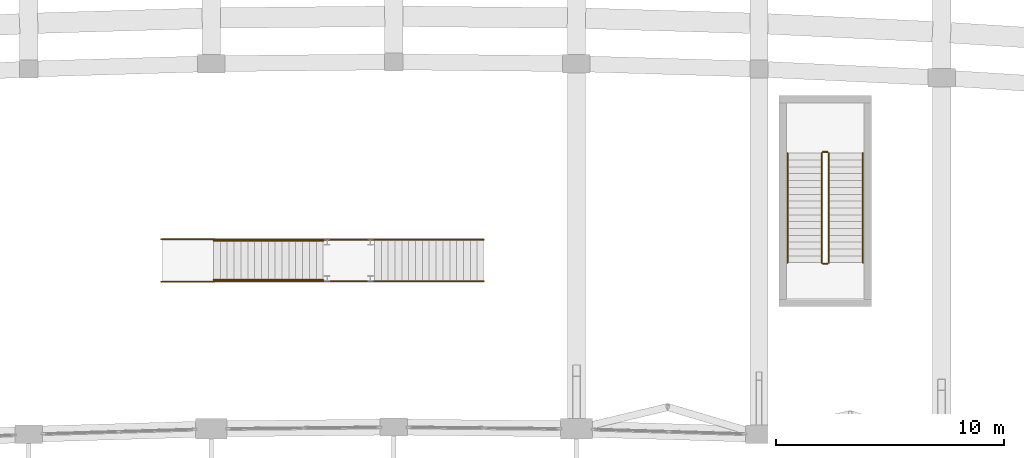
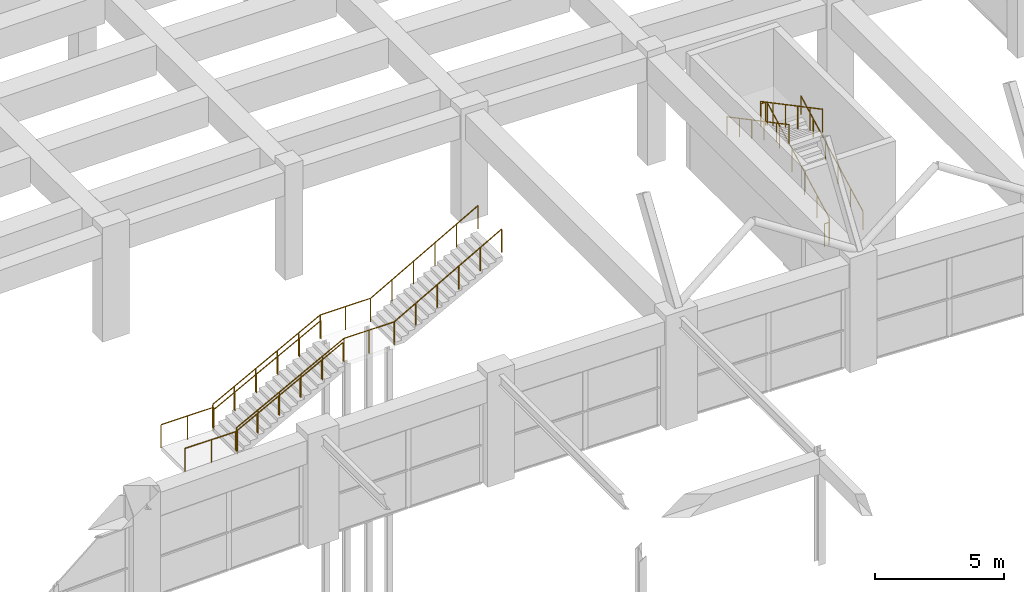
# One storey, part 65 of 69: 12 railings.
"""IFC4 building model written with IfcOpenShell, lengths in metres."""

from ifc_helpers import new_model, si_unit, direction, frame, origin, origin_2d, place, context, subcontext, project, spatial, circle, extrude, material, type_object, element, save


model = new_model("IFC4")

# Units and contexts
model_context = context("Model", 3, precision=1e-05, world=origin(), true_north=direction((0.0, 1.0)))
body_context = subcontext(model_context, "Body", "Model", "MODEL_VIEW")
ifc_project = project(units=[si_unit("LENGTHUNIT", "METRE"), si_unit("AREAUNIT", "SQUARE_METRE"), si_unit("VOLUMEUNIT", "CUBIC_METRE"), si_unit("PLANEANGLEUNIT", "RADIAN"), si_unit("MASSUNIT", "GRAM", prefix="KILO")], contexts=[model_context])

# Site, building, storey
site_placement = place(None, origin())
site = spatial("IfcSite", under=ifc_project, at=site_placement, CompositionType="ELEMENT")
building_placement = place(site_placement, origin())
building = spatial("IfcBuilding", under=site, at=building_placement, Name="Kenh Van Central Station", CompositionType="ELEMENT")
storey_placement = place(building_placement, frame((0.0, 0.0, 5.39990234375)))
storey = spatial("IfcBuildingStorey", under=building, at=storey_placement, Name="L01", CompositionType="ELEMENT", Elevation=5.39990234375)

# Railings
ifc_material = material(Name="Champagne anodised aluminium", Category="aluminium")
railing_type_1 = type_object("IfcRailingType", Name="RAIL-CORE-GRD110", PredefinedType="GUARDRAIL", material=ifc_material)
railing_1_placement = place(storey_placement, frame((107.050048828125, 74.39990234375, 0.158935546875)))
element("IfcRailing", 1, at=railing_1_placement, inside=storey, type_object=railing_type_1, Name="L01 ST-06 stair guard 1", PredefinedType="GUARDRAIL", context=body_context, shape_type="SweptSolid", body=[
    extrude(circle(Radius=0.02392578125, at=origin_2d()), frame((0.0, 0.0, 1.076171875), z_axis=(0.0, 0.883783542688, 0.467895981682), x_axis=(-1.0, 0.0, 0.0)), (0.0, 0.0, 1.0), 5.43115234375),
    extrude(circle(Radius=0.02099609375, at=origin_2d()), origin(), (0.0, 0.0, 1.0), 1.052001953125),
    extrude(circle(Radius=0.02099609375, at=origin_2d()), frame((0.0, 0.9599609375, 0.50830078125)), (0.0, 0.0, 1.0), 1.052001953125),
    extrude(circle(Radius=0.02099609375, at=origin_2d()), frame((0.0, 1.919921875, 1.0166015625)), (0.0, 0.0, 1.0), 1.052001953125),
    extrude(circle(Radius=0.02099609375, at=origin_2d()), frame((0.0, 2.880126953125, 1.524658203125)), (0.0, 0.0, 1.0), 1.052001953125),
    extrude(circle(Radius=0.02099609375, at=origin_2d()), frame((0.0, 3.840087890625, 2.032958984375)), (0.0, 0.0, 1.0), 1.052001953125),
    extrude(circle(Radius=0.02099609375, at=origin_2d()), frame((0.0, 4.800048828125, 2.541259765625)), (0.0, 0.0, 1.0), 1.052001953125),
])
railing_2_placement = place(storey_placement, frame((107.0, 79.25, 2.7001953125)))
element("IfcRailing", 2, at=railing_2_placement, inside=storey, type_object=railing_type_1, Name="L01 ST-06 stair guard 2", PredefinedType="GUARDRAIL", context=body_context, shape_type="SweptSolid", body=[
    extrude(circle(Radius=0.02392578125, at=origin_2d()), frame((0.0, 0.0, 1.076171875), z_axis=(-1.0, 0.0, 0.0), x_axis=(0.0, -1.0, 0.0)), (0.0, 0.0, 1.0), 0.199951171875),
    extrude(circle(Radius=0.02099609375, at=origin_2d()), origin(), (0.0, 0.0, 1.0), 1.052001953125),
    extrude(circle(Radius=0.02099609375, at=origin_2d()), frame((-0.199951171875, 0.0, 0.0)), (0.0, 0.0, 1.0), 1.052001953125),
])
railing_3_placement = place(storey_placement, frame((106.75, 79.199951171875, 2.85888671875)))
element("IfcRailing", 3, at=railing_3_placement, inside=storey, type_object=railing_type_1, Name="L01 ST-06 stair guard 3", PredefinedType="GUARDRAIL", context=body_context, shape_type="SweptSolid", body=[
    extrude(circle(Radius=0.02392578125, at=origin_2d()), frame((0.0, 0.0, 1.076171875), z_axis=(0.0, -0.883783542688, 0.467895981682), x_axis=(1.0, 0.0, 0.0)), (0.0, 0.0, 1.0), 5.43115234375),
    extrude(circle(Radius=0.02099609375, at=origin_2d()), origin(), (0.0, 0.0, 1.0), 1.052001953125),
    extrude(circle(Radius=0.02099609375, at=origin_2d()), frame((0.0, -0.9599609375, 0.50830078125)), (0.0, 0.0, 1.0), 1.052001953125),
    extrude(circle(Radius=0.02099609375, at=origin_2d()), frame((0.0, -1.919921875, 1.0166015625)), (0.0, 0.0, 1.0), 1.052001953125),
    extrude(circle(Radius=0.02099609375, at=origin_2d()), frame((0.0, -2.880126953125, 1.524658203125)), (0.0, 0.0, 1.0), 1.052001953125),
    extrude(circle(Radius=0.02099609375, at=origin_2d()), frame((0.0, -3.840087890625, 2.032958984375)), (0.0, 0.0, 1.0), 1.052001953125),
    extrude(circle(Radius=0.02099609375, at=origin_2d()), frame((0.0, -4.800048828125, 2.541259765625)), (0.0, 0.0, 1.0), 1.052001953125),
])
railing_4_placement = place(storey_placement, frame((107.0, 74.35009765625, 0.0)))
element("IfcRailing", 4, at=railing_4_placement, inside=storey, type_object=railing_type_1, Name="L01 ST-06 stair guard 4", PredefinedType="GUARDRAIL", context=body_context, shape_type="SweptSolid", body=[
    extrude(circle(Radius=0.02392578125, at=origin_2d()), frame((0.0, 0.0, 1.076171875), z_axis=(-1.0, 0.0, 0.0), x_axis=(0.0, -1.0, 0.0)), (0.0, 0.0, 1.0), 0.199951171875),
    extrude(circle(Radius=0.02099609375, at=origin_2d()), origin(), (0.0, 0.0, 1.0), 1.052001953125),
    extrude(circle(Radius=0.02099609375, at=origin_2d()), frame((-0.199951171875, 0.0, 0.0)), (0.0, 0.0, 1.0), 1.052001953125),
])
for number, where, name in (
    (5, (77.800048828125, 73.574951171875, 0.0), "L01 ST-PUB5 transfer landing guard 1"),
    (6, (77.800048828125, 75.425048828125, 0.0), "L01 ST-PUB5 transfer landing guard 2"),
):
    element("IfcRailing", number, at=place(storey_placement, frame(where)), inside=storey, type_object=railing_type_1, Name=name, PredefinedType="GUARDRAIL", context=body_context, shape_type="SweptSolid", body=[
        extrude(circle(Radius=0.02392578125, at=origin_2d()), frame((0.0, 0.0, 1.09619140625), z_axis=(1.0, 0.0, 0.0), x_axis=(0.0, 1.0, 0.0)), (0.0, 0.0, 1.0), 2.349853515625),
        extrude(circle(Radius=0.02099609375, at=origin_2d()), origin(), (0.0, 0.0, 1.0), 1.072021484375),
        extrude(circle(Radius=0.02099609375, at=origin_2d()), frame((1.1748046875, 0.0, 0.0)), (0.0, 0.0, 1.0), 1.072021484375),
        extrude(circle(Radius=0.02099609375, at=origin_2d()), frame((2.349853515625, 0.0, 0.0)), (0.0, 0.0, 1.0), 1.072021484375),
    ])
railing_type_2 = type_object("IfcRailingType", Name="RAIL-CORE-HND90", PredefinedType="HANDRAIL", material=ifc_material)
railing_5_placement = place(storey_placement, frame((108.550048828125, 74.39990234375, 0.158935546875)))
element("IfcRailing", 7, at=railing_5_placement, inside=storey, type_object=railing_type_2, Name="L01 ST-06 stair handrail 1", PredefinedType="HANDRAIL", context=body_context, shape_type="SweptSolid", body=[
    extrude(circle(Radius=0.02392578125, at=origin_2d()), frame((0.0, 0.0, 0.8759765625), z_axis=(0.0, 0.883783542688, 0.467895981682), x_axis=(-1.0, 0.0, 0.0)), (0.0, 0.0, 1.0), 5.43115234375),
    extrude(circle(Radius=0.02099609375, at=origin_2d()), origin(), (0.0, 0.0, 1.0), 0.851806640625),
    extrude(circle(Radius=0.02099609375, at=origin_2d()), frame((0.0, 0.9599609375, 0.50830078125)), (0.0, 0.0, 1.0), 0.851806640625),
    extrude(circle(Radius=0.02099609375, at=origin_2d()), frame((0.0, 1.919921875, 1.0166015625)), (0.0, 0.0, 1.0), 0.851806640625),
    extrude(circle(Radius=0.02099609375, at=origin_2d()), frame((0.0, 2.880126953125, 1.524658203125)), (0.0, 0.0, 1.0), 0.851806640625),
    extrude(circle(Radius=0.02099609375, at=origin_2d()), frame((0.0, 3.840087890625, 2.032958984375)), (0.0, 0.0, 1.0), 0.851806640625),
    extrude(circle(Radius=0.02099609375, at=origin_2d()), frame((0.0, 4.800048828125, 2.541259765625)), (0.0, 0.0, 1.0), 0.851806640625),
])
railing_6_placement = place(storey_placement, frame((105.25, 79.199951171875, 2.85888671875)))
element("IfcRailing", 8, at=railing_6_placement, inside=storey, type_object=railing_type_2, Name="L01 ST-06 stair handrail 2", PredefinedType="HANDRAIL", context=body_context, shape_type="SweptSolid", body=[
    extrude(circle(Radius=0.02392578125, at=origin_2d()), frame((0.0, 0.0, 0.8759765625), z_axis=(0.0, -0.883783542688, 0.467895981682), x_axis=(1.0, 0.0, 0.0)), (0.0, 0.0, 1.0), 5.43115234375),
    extrude(circle(Radius=0.02099609375, at=origin_2d()), origin(), (0.0, 0.0, 1.0), 0.851806640625),
    extrude(circle(Radius=0.02099609375, at=origin_2d()), frame((0.0, -0.9599609375, 0.50830078125)), (0.0, 0.0, 1.0), 0.851806640625),
    extrude(circle(Radius=0.02099609375, at=origin_2d()), frame((0.0, -1.919921875, 1.0166015625)), (0.0, 0.0, 1.0), 0.851806640625),
    extrude(circle(Radius=0.02099609375, at=origin_2d()), frame((0.0, -2.880126953125, 1.524658203125)), (0.0, 0.0, 1.0), 0.851806640625),
    extrude(circle(Radius=0.02099609375, at=origin_2d()), frame((0.0, -3.840087890625, 2.032958984375)), (0.0, 0.0, 1.0), 0.851806640625),
    extrude(circle(Radius=0.02099609375, at=origin_2d()), frame((0.0, -4.800048828125, 2.541259765625)), (0.0, 0.0, 1.0), 0.851806640625),
])
for number, where, name in (
    (9, (80.10009765625, 73.64501953125, 0.158935546875), "Island Platform 1 Central Transfer Stair handrail 1"),
    (10, (80.10009765625, 75.35498046875, 0.158935546875), "Island Platform 1 Central Transfer Stair handrail 2"),
):
    element("IfcRailing", number, at=place(storey_placement, frame(where)), inside=storey, type_object=railing_type_2, Name=name, PredefinedType="HANDRAIL", context=body_context, shape_type="SweptSolid", body=[
        extrude(circle(Radius=0.02392578125, at=origin_2d()), frame((0.0, 0.0, 0.8759765625), z_axis=(0.883773701108, 0.0, 0.467914570439), x_axis=(0.0, 1.0, 0.0)), (0.0, 0.0, 1.0), 5.43115234375),
        extrude(circle(Radius=0.02099609375, at=origin_2d()), origin(), (0.0, 0.0, 1.0), 0.851806640625),
        extrude(circle(Radius=0.02099609375, at=origin_2d()), frame((0.9599609375, 0.0, 0.50830078125)), (0.0, 0.0, 1.0), 0.851806640625),
        extrude(circle(Radius=0.02099609375, at=origin_2d()), frame((1.919921875, 0.0, 1.0166015625)), (0.0, 0.0, 1.0), 0.851806640625),
        extrude(circle(Radius=0.02099609375, at=origin_2d()), frame((2.8798828125, 0.0, 1.524658203125)), (0.0, 0.0, 1.0), 0.851806640625),
        extrude(circle(Radius=0.02099609375, at=origin_2d()), frame((3.83984375, 0.0, 2.032958984375)), (0.0, 0.0, 1.0), 0.851806640625),
        extrude(circle(Radius=0.02099609375, at=origin_2d()), frame((4.7998046875, 0.0, 2.541259765625)), (0.0, 0.0, 1.0), 0.851806640625),
    ])
railing_type_3 = type_object("IfcRailingType", Name="RAIL-PUB-BAL112", PredefinedType="BALUSTRADE", material=ifc_material)
railing_7_placement = place(storey_placement, frame((80.10009765625, 73.5849609375, 0.158935546875)))
element("IfcRailing", 11, at=railing_7_placement, inside=storey, type_object=railing_type_3, Name="Island Platform 1 Central Transfer Stair balustrade 1", PredefinedType="BALUSTRADE", context=body_context, shape_type="SweptSolid", body=[
    extrude(circle(Radius=0.02392578125, at=origin_2d()), frame((0.0, 0.0, 1.09619140625), z_axis=(0.883773701108, 0.0, 0.467914570439), x_axis=(0.0, 1.0, 0.0)), (0.0, 0.0, 1.0), 5.43115234375),
    extrude(circle(Radius=0.02392578125, at=origin_2d()), frame((4.7998046875, 0.0, 3.63720703125), z_axis=(1.0, 0.0, 0.0), x_axis=(0.0, 1.0, 0.0)), (0.0, 0.0, 1.0), 2.25),
    extrude(circle(Radius=0.02392578125, at=origin_2d()), frame((7.0498046875, 0.0, 3.63720703125), z_axis=(0.871581456561, 0.0, 0.490250716042), x_axis=(0.0, 1.0, 0.0)), (0.0, 0.0, 1.0), 5.50732421875),
    extrude(circle(Radius=0.02099609375, at=origin_2d()), origin(), (0.0, 0.0, 1.0), 1.072021484375),
    extrude(circle(Radius=0.02099609375, at=origin_2d()), frame((0.9599609375, 0.0, 0.50830078125)), (0.0, 0.0, 1.0), 1.072021484375),
    extrude(circle(Radius=0.02099609375, at=origin_2d()), frame((1.919921875, 0.0, 1.0166015625)), (0.0, 0.0, 1.0), 1.072021484375),
    extrude(circle(Radius=0.02099609375, at=origin_2d()), frame((2.8798828125, 0.0, 1.524658203125)), (0.0, 0.0, 1.0), 1.072021484375),
    extrude(circle(Radius=0.02099609375, at=origin_2d()), frame((3.83984375, 0.0, 2.032958984375)), (0.0, 0.0, 1.0), 1.072021484375),
    extrude(circle(Radius=0.02099609375, at=origin_2d()), frame((4.7998046875, 0.0, 2.541259765625)), (0.0, 0.0, 1.0), 1.072021484375),
    extrude(circle(Radius=0.02099609375, at=origin_2d()), frame((5.9248046875, 0.0, 2.541259765625)), (0.0, 0.0, 1.0), 1.072021484375),
    extrude(circle(Radius=0.02099609375, at=origin_2d()), frame((7.0498046875, 0.0, 2.541259765625)), (0.0, 0.0, 1.0), 1.072021484375),
    extrude(circle(Radius=0.02099609375, at=origin_2d()), frame((8.009765625, 0.0, 3.081298828125)), (0.0, 0.0, 1.0), 1.072021484375),
    extrude(circle(Radius=0.02099609375, at=origin_2d()), frame((8.9697265625, 0.0, 3.621337890625)), (0.0, 0.0, 1.0), 1.072021484375),
    extrude(circle(Radius=0.02099609375, at=origin_2d()), frame((9.929931640625, 0.0, 4.1611328125)), (0.0, 0.0, 1.0), 1.072021484375),
    extrude(circle(Radius=0.02099609375, at=origin_2d()), frame((10.889892578125, 0.0, 4.701171875)), (0.0, 0.0, 1.0), 1.072021484375),
    extrude(circle(Radius=0.02099609375, at=origin_2d()), frame((11.849853515625, 0.0, 5.2412109375)), (0.0, 0.0, 1.0), 1.072021484375),
])
railing_8_placement = place(storey_placement, frame((80.10009765625, 75.4150390625, 0.158935546875)))
element("IfcRailing", 12, at=railing_8_placement, inside=storey, type_object=railing_type_3, Name="Island Platform 1 Central Transfer Stair balustrade 2", PredefinedType="BALUSTRADE", context=body_context, shape_type="SweptSolid", body=[
    extrude(circle(Radius=0.02392578125, at=origin_2d()), frame((0.0, 0.0, 1.09619140625), z_axis=(0.883773701108, 0.0, 0.467914570439), x_axis=(0.0, 1.0, 0.0)), (0.0, 0.0, 1.0), 5.43115234375),
    extrude(circle(Radius=0.02392578125, at=origin_2d()), frame((4.7998046875, 0.0, 3.63720703125), z_axis=(1.0, 0.0, 0.0), x_axis=(0.0, 1.0, 0.0)), (0.0, 0.0, 1.0), 2.25),
    extrude(circle(Radius=0.02392578125, at=origin_2d()), frame((7.0498046875, 0.0, 3.63720703125), z_axis=(0.871581456561, 0.0, 0.490250716042), x_axis=(0.0, 1.0, 0.0)), (0.0, 0.0, 1.0), 5.50732421875),
    extrude(circle(Radius=0.02099609375, at=origin_2d()), origin(), (0.0, 0.0, 1.0), 1.072021484375),
    extrude(circle(Radius=0.02099609375, at=origin_2d()), frame((0.9599609375, 0.0, 0.50830078125)), (0.0, 0.0, 1.0), 1.072021484375),
    extrude(circle(Radius=0.02099609375, at=origin_2d()), frame((1.919921875, 0.0, 1.0166015625)), (0.0, 0.0, 1.0), 1.072021484375),
    extrude(circle(Radius=0.02099609375, at=origin_2d()), frame((2.8798828125, 0.0, 1.524658203125)), (0.0, 0.0, 1.0), 1.072021484375),
    extrude(circle(Radius=0.02099609375, at=origin_2d()), frame((3.83984375, 0.0, 2.032958984375)), (0.0, 0.0, 1.0), 1.072021484375),
    extrude(circle(Radius=0.02099609375, at=origin_2d()), frame((4.7998046875, 0.0, 2.541259765625)), (0.0, 0.0, 1.0), 1.072021484375),
    extrude(circle(Radius=0.02099609375, at=origin_2d()), frame((5.9248046875, 0.0, 2.541259765625)), (0.0, 0.0, 1.0), 1.072021484375),
    extrude(circle(Radius=0.02099609375, at=origin_2d()), frame((7.0498046875, 0.0, 2.541259765625)), (0.0, 0.0, 1.0), 1.072021484375),
    extrude(circle(Radius=0.02099609375, at=origin_2d()), frame((8.009765625, 0.0, 3.081298828125)), (0.0, 0.0, 1.0), 1.072021484375),
    extrude(circle(Radius=0.02099609375, at=origin_2d()), frame((8.9697265625, 0.0, 3.621337890625)), (0.0, 0.0, 1.0), 1.072021484375),
    extrude(circle(Radius=0.02099609375, at=origin_2d()), frame((9.929931640625, 0.0, 4.1611328125)), (0.0, 0.0, 1.0), 1.072021484375),
    extrude(circle(Radius=0.02099609375, at=origin_2d()), frame((10.889892578125, 0.0, 4.701171875)), (0.0, 0.0, 1.0), 1.072021484375),
    extrude(circle(Radius=0.02099609375, at=origin_2d()), frame((11.849853515625, 0.0, 5.2412109375)), (0.0, 0.0, 1.0), 1.072021484375),
])

save(model, "model.ifc")
